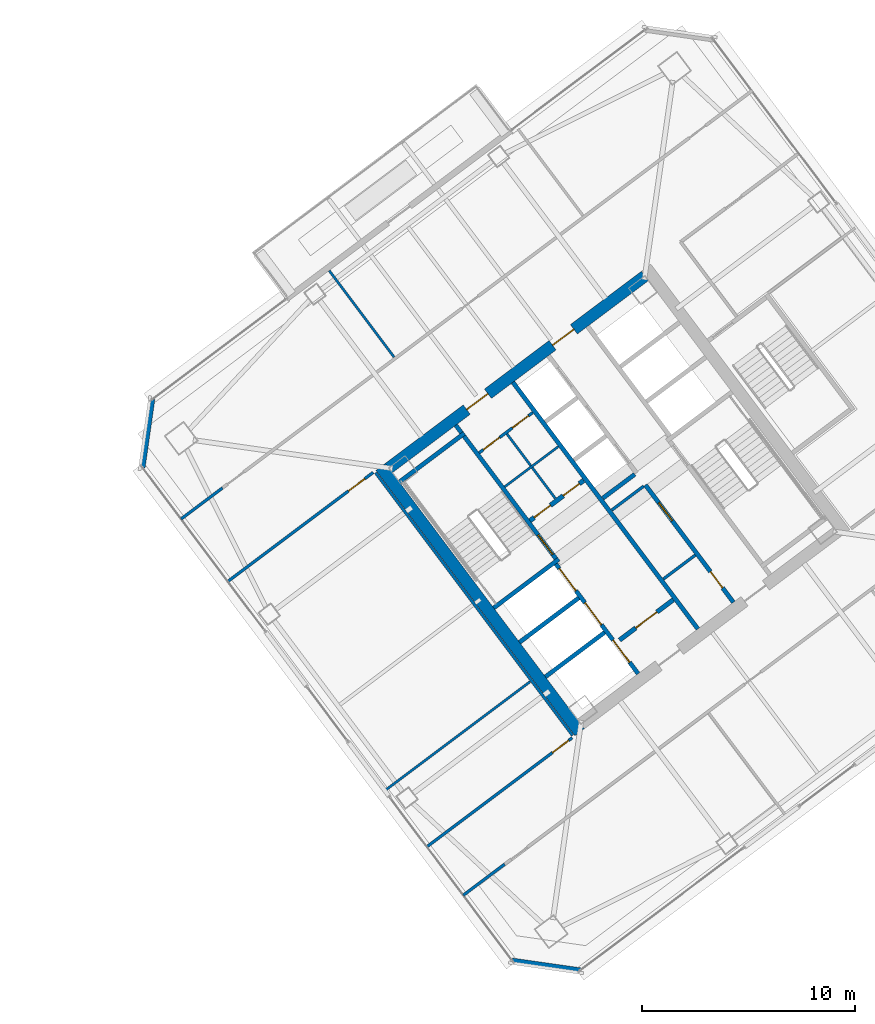
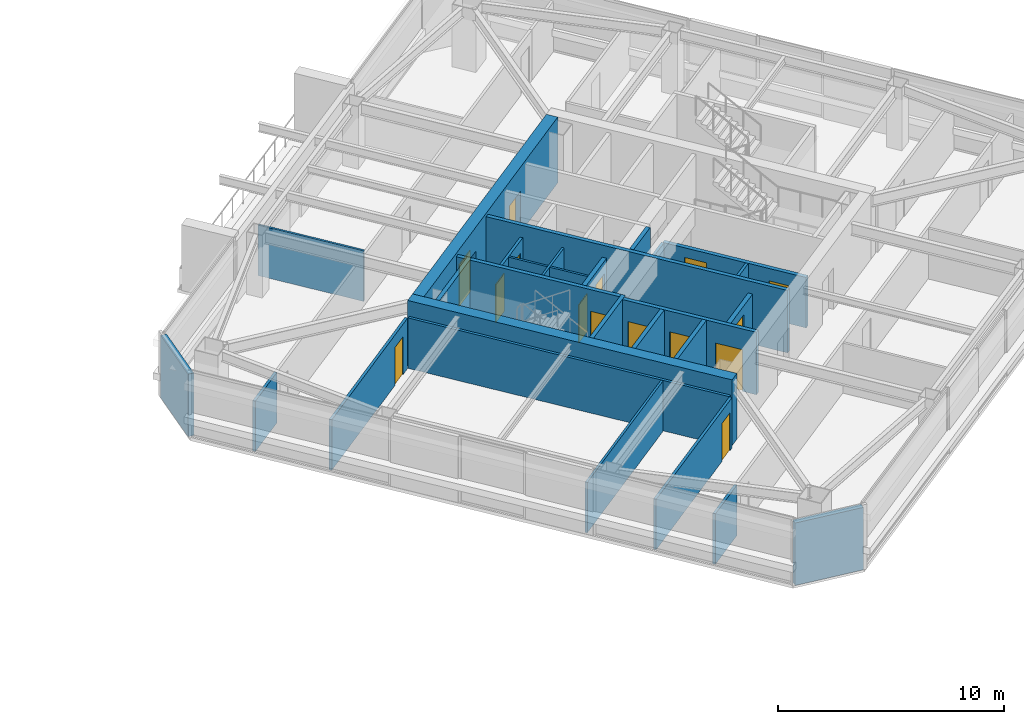
# One storey, part 34 of 43: 27 walls, 15 doors, 15 openings.
"""IFC4 building model written with IfcOpenShell, lengths in metres."""

from ifc_helpers import new_model, si_unit, direction, frame, frame_2d, origin, place, context, subcontext, project, spatial, rectangle, extrude, material, layer, layer_set, type_object, element, fill, save


model = new_model("IFC4")

# Units and contexts
model_context = context("Model", 3, precision=1e-05, world=origin(), true_north=direction((0.0, 1.0)))
body_context = subcontext(model_context, "Body", "Model", "MODEL_VIEW")
ifc_project = project(units=[si_unit("LENGTHUNIT", "METRE"), si_unit("AREAUNIT", "SQUARE_METRE"), si_unit("VOLUMEUNIT", "CUBIC_METRE"), si_unit("PLANEANGLEUNIT", "RADIAN"), si_unit("MASSUNIT", "GRAM", prefix="KILO")], contexts=[model_context])

# Site, building, storey
site_placement = place(None, origin())
site = spatial("IfcSite", under=ifc_project, at=site_placement, CompositionType="ELEMENT")
building_placement = place(site_placement, origin())
building = spatial("IfcBuilding", under=site, at=building_placement, Name="Tashvorn Skyway Center", CompositionType="ELEMENT")
storey_placement = place(building_placement, frame((0.0, 0.0, 188.949951171875)))
storey = spatial("IfcBuildingStorey", under=building, at=storey_placement, Name="L51", CompositionType="ELEMENT", Elevation=188.949951171875)

# Wall
ifc_material_1 = material(Name="Concrete C60/75", Category="concrete")
ifc_layer_1 = layer(ifc_material_1, 0.550048828125)
ifc_layer_set_1 = layer_set([ifc_layer_1], Name="Concrete C60/75")
wall_type_1 = type_object("IfcWallType", Name="WALL-CORE-550", PredefinedType="SHEAR", material=ifc_layer_set_1)
wall_1_placement = place(storey_placement, frame((112.43603515625, 21.076904296875, 0.0), z_axis=(0.0, 0.0, 1.0), x_axis=(-0.600005007985, 0.799996243986, 0.0)))
element("IfcWall", 1, at=wall_1_placement, inside=storey, type_object=wall_type_1, Name="Tower 2 L51 West Core Shear Wall", PredefinedType="SHEAR", context=body_context, shape_type="SweptSolid", body=[
    extrude(rectangle(XDim=15.60009765625, YDim=0.550048828125, at=frame_2d((7.800048828125, 0.0))), origin(), (0.0, 0.0, 1.0), 3.550048828125),
])

# Wall, openings, doors
wall_2_placement = place(storey_placement, frame((103.4609375, 33.501953125, 0.0), z_axis=(0.0, 0.0, 1.0), x_axis=(0.799998054672, 0.600002593761, 0.0)))
wall_2 = element("IfcWall", 2, at=wall_2_placement, inside=storey, type_object=wall_type_1, Name="Tower 2 L51 North Core Shear Wall", PredefinedType="SHEAR", context=body_context, shape_type="SweptSolid", body=[
    extrude(rectangle(XDim=15.06005859375, YDim=0.550048828125, at=frame_2d((7.530029296875, 0.0))), origin(), (0.0, 0.0, 1.0), 3.550048828125),
])
opening_1_placement = place(wall_2_placement, frame((4.580078125, 0.0, 0.0)))
opening_1 = element("IfcOpeningElement", 3, at=opening_1_placement, cuts=wall_2, Name="Opening D-FFL-1250", PredefinedType="OPENING", context=body_context, shape_type="SweptSolid", body=[
    extrude(rectangle(XDim=1.25, YDim=2.25, at=frame_2d((0.625, 1.125))), frame((0.0, 0.284912109375, 0.0), z_axis=(0.0, -1.0, 0.0), x_axis=(1.0, 0.0, 0.0)), (0.0, 0.0, 1.0), 0.570068359375),
])
opening_2_placement = place(wall_2_placement, frame((9.6298828125, 0.0, 0.0)))
opening_2 = element("IfcOpeningElement", 4, at=opening_2_placement, cuts=wall_2, Name="Opening D-FFL-1250", PredefinedType="OPENING", context=body_context, shape_type="SweptSolid", body=[
    extrude(rectangle(XDim=1.25, YDim=2.25, at=frame_2d((0.625, 1.125))), frame((0.0, 0.284912109375, 0.0), z_axis=(0.0, -1.0, 0.0), x_axis=(1.0, 0.0, 0.0)), (0.0, 0.0, 1.0), 0.570068359375),
])
ifc_material_2 = material(Name="Hollow galvanized steel fire door assembly", Category="steel")
door_type_1 = type_object("IfcDoorType", Name="DOOR-FFL-1250", OperationType="NOTDEFINED", PredefinedType="DOOR", material=ifc_material_2)
door_1_placement = place(opening_1_placement, origin())
door_1 = element("IfcDoor", 5, at=door_1_placement, inside=storey, type_object=door_type_1, Name="Tower 2 L51 Core North Service Lobby Door", OperationType="SINGLE_SWING_LEFT", OverallHeight=2.25, OverallWidth=1.25, PredefinedType="DOOR", context=body_context, shape_type="SweptSolid", body=[
    extrude(rectangle(XDim=1.25, YDim=2.25, at=frame_2d((0.625, 1.125))), frame((0.0, 0.02490234375, 0.0), z_axis=(0.0, -1.0, 0.0), x_axis=(1.0, 0.0, 0.0)), (0.0, 0.0, 1.0), 0.050048828125),
])
fill(opening_1, door_1)
door_2_placement = place(opening_2_placement, origin())
door_2 = element("IfcDoor", 6, at=door_2_placement, inside=storey, type_object=door_type_1, Name="Tower 2 L51 Core North Lift Lobby Door", OperationType="SINGLE_SWING_RIGHT", OverallHeight=2.25, OverallWidth=1.25, PredefinedType="DOOR", context=body_context, shape_type="SweptSolid", body=[
    extrude(rectangle(XDim=1.25, YDim=2.25, at=frame_2d((0.625, 1.125))), frame((0.0, 0.02490234375, 0.0), z_axis=(0.0, -1.0, 0.0), x_axis=(1.0, 0.0, 0.0)), (0.0, 0.0, 1.0), 0.050048828125),
])
fill(opening_2, door_2)

# Walls
ifc_material_3 = material(Name="Precast concrete C40/50", Category="concrete")
ifc_layer_2 = layer(ifc_material_3, 0.280029296875)
ifc_layer_set_2 = layer_set([ifc_layer_2], Name="Precast concrete C40/50")
wall_type_2 = type_object("IfcWallType", Name="WALL-EXT-280", PredefinedType="SOLIDWALL", material=ifc_layer_set_2)
for number, where, z_axis, x_axis, name in (
    (7, (112.47998046875, 9.860107421875, 0.0), (0.0, 0.0, 1.0), (-0.989950994782, 0.141410847992, 0.0), "Tower 2 L51 SW Precast Chamfer Wall"),
    (8, (91.860107421875, 33.52001953125, 0.0), (0.0, 0.0, 1.0), (0.141410847992, 0.989950994782, 0.0), "Tower 2 L51 NW Precast Chamfer Wall"),
):
    element("IfcWall", number, at=place(storey_placement, frame(where, z_axis=z_axis, x_axis=x_axis)), inside=storey, type_object=wall_type_2, Name=name, PredefinedType="SOLIDWALL", context=body_context, shape_type="SweptSolid", body=[
        extrude(rectangle(XDim=3.252685546875, YDim=0.280029296875, at=frame_2d((1.62646484375, 0.0))), origin(), (0.0, 0.0, 1.0), 3.3701171875),
    ])

# Wall, openings, doors
ifc_material_4 = material(Name="Concrete C40/50", Category="concrete")
ifc_layer_3 = layer(ifc_material_4, 0.219970703125)
ifc_layer_set_3 = layer_set([ifc_layer_3], Name="Concrete C40/50")
wall_type_3 = type_object("IfcWallType", Name="WALL-FFL-220", PredefinedType="SOLIDWALL", material=ifc_layer_set_3)
wall_3_placement = place(storey_placement, frame((110.10400390625, 31.028076171875, 0.0), z_axis=(0.0, 0.0, 1.0), x_axis=(0.800018601094, 0.59997519774, 0.0)))
wall_3 = element("IfcWall", 9, at=wall_3_placement, inside=storey, type_object=wall_type_3, Name="Tower 2 L51 Firefighting Lobby North Wall", PredefinedType="SOLIDWALL", context=body_context, shape_type="SweptSolid", body=[
    extrude(rectangle(XDim=3.14990234375, YDim=0.219970703125, at=frame_2d((1.574951171875, 0.0))), origin(), (0.0, 0.0, 1.0), 2.72314453125),
])
opening_3_placement = place(wall_3_placement, frame((0.25, 0.0, 0.0)))
opening_3 = element("IfcOpeningElement", 10, at=opening_3_placement, cuts=wall_3, Name="Opening D-RT-950", PredefinedType="OPENING", context=body_context, shape_type="SweptSolid", body=[
    extrude(rectangle(XDim=0.949951171875, YDim=2.050048828125, at=frame_2d((0.47509765625, 1.02490234375))), frame((0.0, 0.119873046875, 0.0), z_axis=(0.0, -1.0, 0.0), x_axis=(1.0, 0.0, 0.0)), (0.0, 0.0, 1.0), 0.239990234375),
])
opening_4_placement = place(wall_3_placement, frame((1.949951171875, 0.0, 0.0)))
opening_4 = element("IfcOpeningElement", 11, at=opening_4_placement, cuts=wall_3, Name="Opening D-RT-950", PredefinedType="OPENING", context=body_context, shape_type="SweptSolid", body=[
    extrude(rectangle(XDim=0.949951171875, YDim=2.050048828125, at=frame_2d((0.47509765625, 1.02490234375))), frame((0.0, 0.119873046875, 0.0), z_axis=(0.0, -1.0, 0.0), x_axis=(1.0, 0.0, 0.0)), (0.0, 0.0, 1.0), 0.239990234375),
])
door_type_2 = type_object("IfcDoorType", Name="DOOR-RATED-950", OperationType="NOTDEFINED", PredefinedType="DOOR", material=ifc_material_2)
door_3_placement = place(opening_3_placement, origin())
door_3 = element("IfcDoor", 12, at=door_3_placement, inside=storey, type_object=door_type_2, Name="Tower 2 L51 Core Mail Room Door", OperationType="SINGLE_SWING_LEFT", OverallHeight=2.050048828125, OverallWidth=0.949951171875, PredefinedType="DOOR", context=body_context, shape_type="SweptSolid", body=[
    extrude(rectangle(XDim=0.949951171875, YDim=2.050048828125, at=frame_2d((0.47509765625, 1.02490234375))), frame((0.0, 0.02490234375, 0.0), z_axis=(0.0, -1.0, 0.0), x_axis=(1.0, 0.0, 0.0)), (0.0, 0.0, 1.0), 0.050048828125),
])
fill(opening_3, door_3)
door_4_placement = place(opening_4_placement, origin())
door_4 = element("IfcDoor", 13, at=door_4_placement, inside=storey, type_object=door_type_2, Name="Tower 2 L51 Core Supply Closet Door", OperationType="SINGLE_SWING_RIGHT", OverallHeight=2.050048828125, OverallWidth=0.949951171875, PredefinedType="DOOR", context=body_context, shape_type="SweptSolid", body=[
    extrude(rectangle(XDim=0.949951171875, YDim=2.050048828125, at=frame_2d((0.47509765625, 1.02490234375))), frame((0.0, 0.02490234375, 0.0), z_axis=(0.0, -1.0, 0.0), x_axis=(1.0, 0.0, 0.0)), (0.0, 0.0, 1.0), 0.050048828125),
])
fill(opening_4, door_4)

# Wall, opening, door
wall_4_placement = place(storey_placement, frame((114.31591796875, 25.412109375, 0.0), z_axis=(0.0, 0.0, 1.0), x_axis=(0.800018601094, 0.59997519774, 0.0)))
wall_4 = element("IfcWall", 14, at=wall_4_placement, inside=storey, type_object=wall_type_3, Name="Tower 2 L51 Firefighting Lobby South Wall", PredefinedType="SOLIDWALL", context=body_context, shape_type="SweptSolid", body=[
    extrude(rectangle(XDim=3.14990234375, YDim=0.219970703125, at=frame_2d((1.574951171875, 0.0))), origin(), (0.0, 0.0, 1.0), 2.72314453125),
])
opening_5_placement = place(wall_4_placement, frame((0.949951171875, 0.0, 0.0)))
opening_5 = element("IfcOpeningElement", 15, at=opening_5_placement, cuts=wall_4, Name="Opening D-FFL-1250", PredefinedType="OPENING", context=body_context, shape_type="SweptSolid", body=[
    extrude(rectangle(XDim=1.25, YDim=2.25, at=frame_2d((0.625, 1.125))), frame((0.0, 0.119873046875, 0.0), z_axis=(0.0, -1.0, 0.0), x_axis=(1.0, 0.0, 0.0)), (0.0, 0.0, 1.0), 0.239990234375),
])
door_5_placement = place(opening_5_placement, origin())
door_5 = element("IfcDoor", 16, at=door_5_placement, inside=storey, type_object=door_type_1, Name="Tower 2 L51 Firefighting Lobby Egress Door", OperationType="SINGLE_SWING_LEFT", OverallHeight=2.25, OverallWidth=1.25, PredefinedType="DOOR", context=body_context, shape_type="SweptSolid", body=[
    extrude(rectangle(XDim=1.25, YDim=2.25, at=frame_2d((0.625, 1.125))), frame((0.0, 0.02490234375, 0.0), z_axis=(0.0, -1.0, 0.0), x_axis=(1.0, 0.0, 0.0)), (0.0, 0.0, 1.0), 0.050048828125),
])
fill(opening_5, door_5)

# Walls
ifc_material_5 = material(Name="Gypsum board on cold-formed steel stud framing", Category="steel")
ifc_layer_4 = layer(ifc_material_5, 0.110107421875)
ifc_layer_set_4 = layer_set([ifc_layer_4], Name="Gypsum board on cold-formed steel stud framing")
wall_type_4 = type_object("IfcWallType", Name="WALL-PART-110", PredefinedType="PARTITIONING", material=ifc_layer_set_4)
wall_5_placement = place(storey_placement, frame((103.7099609375, 38.719970703125, 0.0), z_axis=(0.0, 0.0, 1.0), x_axis=(-0.599984620597, 0.800011534321, 0.0)))
element("IfcWall", 17, at=wall_5_placement, inside=storey, type_object=wall_type_4, Name="Tower 2 L51 North Suite Partition 1", PredefinedType="PARTITIONING", context=body_context, shape_type="SweptSolid", body=[
    extrude(rectangle(XDim=5.079833984375, YDim=0.110107421875, at=frame_2d((2.5400390625, 0.0))), origin(), (0.0, 0.0, 1.0), 2.72314453125),
])
wall_6_placement = place(storey_placement, frame((103.27587890625, 18.33203125, 0.0), z_axis=(0.0, 0.0, 1.0), x_axis=(0.8, 0.6, 0.0)))
element("IfcWall", 18, at=wall_6_placement, inside=storey, type_object=wall_type_4, Name="Tower 2 L51 West Mid Partition", PredefinedType="PARTITIONING", context=body_context, shape_type="SweptSolid", body=[
    extrude(rectangle(XDim=8.5400390625, YDim=0.110107421875, at=frame_2d((4.27001953125, 0.0))), origin(), (0.0, 0.0, 1.0), 2.72314453125),
])
ifc_layer_5 = layer(ifc_material_5, 0.135009765625)
ifc_layer_set_5 = layer_set([ifc_layer_5], Name="Gypsum board on cold-formed steel stud framing")
wall_type_5 = type_object("IfcWallType", Name="WALL-PART-135", PredefinedType="PARTITIONING", material=ifc_layer_set_5)
for number, where, z_axis, x_axis, name in (
    (19, (93.694091796875, 31.10791015625, 0.0), (0.0, 0.0, 1.0), (0.799975885537, 0.600032151272, 0.0), "Tower 2 L51 North-West Suite South Wall"),
    (20, (106.966064453125, 13.412109375, 0.0), (0.0, 0.0, 1.0), (0.799975885537, 0.600032151272, 0.0), "Tower 2 L51 South-West Suite North Wall"),
):
    element("IfcWall", number, at=place(storey_placement, frame(where, z_axis=z_axis, x_axis=x_axis)), inside=storey, type_object=wall_type_5, Name=name, PredefinedType="PARTITIONING", context=body_context, shape_type="SweptSolid", body=[
        extrude(rectangle(XDim=2.429931640625, YDim=0.135009765625, at=frame_2d((1.21484375, 0.0))), origin(), (0.0, 0.0, 1.0), 2.72314453125),
    ])
wall_7_placement = place(storey_placement, frame((112.10400390625, 20.927978515625, 0.0), z_axis=(0.0, 0.0, 1.0), x_axis=(-0.599994940075, 0.800003794918, 0.0)))
element("IfcWall", 21, at=wall_7_placement, inside=storey, type_object=wall_type_5, Name="Tower 2 L51 West Inner Suite Wall", PredefinedType="PARTITIONING", context=body_context, shape_type="SweptSolid", body=[
    extrude(rectangle(XDim=15.43994140625, YDim=0.135009765625, at=frame_2d((7.719970703125, 0.0))), origin(), (0.0, 0.0, 1.0), 2.72314453125),
])

# Wall, opening, door
wall_8_placement = place(storey_placement, frame((102.72802734375, 33.2958984375, 0.0), z_axis=(0.0, 0.0, 1.0), x_axis=(-0.800013722153, -0.59998170336, 0.0)))
wall_8 = element("IfcWall", 22, at=wall_8_placement, inside=storey, type_object=wall_type_5, Name="Tower 2 L51 West Suite North Wall", PredefinedType="PARTITIONING", context=body_context, shape_type="SweptSolid", body=[
    extrude(rectangle(XDim=8.539794921875, YDim=0.135009765625, at=frame_2d((4.27001953125, 0.0))), origin(), (0.0, 0.0, 1.0), 2.72314453125),
])
opening_6_placement = place(wall_8_placement, frame((0.5, 0.0, 0.0)))
opening_6 = element("IfcOpeningElement", 23, at=opening_6_placement, cuts=wall_8, Name="Opening D-INT-950", PredefinedType="OPENING", context=body_context, shape_type="SweptSolid", body=[
    extrude(rectangle(XDim=0.949951171875, YDim=2.050048828125, at=frame_2d((0.47509765625, 1.02490234375))), frame((0.0, 0.077392578125, 0.0), z_axis=(0.0, -1.0, 0.0), x_axis=(1.0, 0.0, 0.0)), (0.0, 0.0, 1.0), 0.155029296875),
])
ifc_material_6 = material(Name="Solid-core architectural oak veneer door")
door_type_3 = type_object("IfcDoorType", Name="DOOR-INT-950", OperationType="NOTDEFINED", PredefinedType="DOOR", material=ifc_material_6)
door_6_placement = place(opening_6_placement, origin())
door_6 = element("IfcDoor", 24, at=door_6_placement, inside=storey, type_object=door_type_3, Name="Tower 2 L51 Boardroom Door", OperationType="SINGLE_SWING_LEFT", OverallHeight=2.050048828125, OverallWidth=0.949951171875, PredefinedType="DOOR", context=body_context, shape_type="SweptSolid", body=[
    extrude(rectangle(XDim=0.949951171875, YDim=2.050048828125, at=frame_2d((0.47509765625, 1.02490234375))), frame((0.0, 0.02490234375, 0.0), z_axis=(0.0, -1.0, 0.0), x_axis=(1.0, 0.0, 0.0)), (0.0, 0.0, 1.0), 0.050048828125),
])
fill(opening_6, door_6)

wall_9_placement = place(storey_placement, frame((105.256103515625, 15.69189453125, 0.0), z_axis=(0.0, 0.0, 1.0), x_axis=(0.799989708052, 0.600013722352, 0.0)))
wall_9 = element("IfcWall", 25, at=wall_9_placement, inside=storey, type_object=wall_type_5, Name="Tower 2 L51 West Suite South Wall", PredefinedType="PARTITIONING", context=body_context, shape_type="SweptSolid", body=[
    extrude(rectangle(XDim=8.539794921875, YDim=0.135009765625, at=frame_2d((4.27001953125, 0.0))), origin(), (0.0, 0.0, 1.0), 2.72314453125),
])
opening_7_placement = place(wall_9_placement, frame((7.3798828125, 0.0, 0.0)))
opening_7 = element("IfcOpeningElement", 26, at=opening_7_placement, cuts=wall_9, Name="Opening D-INT-950", PredefinedType="OPENING", context=body_context, shape_type="SweptSolid", body=[
    extrude(rectangle(XDim=0.949951171875, YDim=2.050048828125, at=frame_2d((0.47509765625, 1.02490234375))), frame((0.0, 0.077392578125, 0.0), z_axis=(0.0, -1.0, 0.0), x_axis=(1.0, 0.0, 0.0)), (0.0, 0.0, 1.0), 0.155029296875),
])
door_7_placement = place(opening_7_placement, origin())
door_7 = element("IfcDoor", 27, at=door_7_placement, inside=storey, type_object=door_type_3, Name="Tower 2 L51 Public Restroom Door", OperationType="SINGLE_SWING_RIGHT", OverallHeight=2.050048828125, OverallWidth=0.949951171875, PredefinedType="DOOR", context=body_context, shape_type="SweptSolid", body=[
    extrude(rectangle(XDim=0.949951171875, YDim=2.050048828125, at=frame_2d((0.47509765625, 1.02490234375))), frame((0.0, 0.02490234375, 0.0), z_axis=(0.0, -1.0, 0.0), x_axis=(1.0, 0.0, 0.0)), (0.0, 0.0, 1.0), 0.050048828125),
])
fill(opening_7, door_7)

# Walls
ifc_layer_6 = layer(ifc_material_5, 0.110107421875)
ifc_layer_set_6 = layer_set([ifc_layer_6], Name="Gypsum board on cold-formed steel stud framing")
wall_type_6 = type_object("IfcWallType", Name="WALL-RATED-110", PredefinedType="PARTITIONING", material=ifc_layer_set_6)
wall_10_placement = place(storey_placement, frame((111.2958984375, 32.072021484375, 0.0), z_axis=(0.0, 0.0, 1.0), x_axis=(-0.59995887973, 0.800030838552, 0.0)))
element("IfcWall", 28, at=wall_10_placement, inside=storey, type_object=wall_type_6, Name="Tower 2 L51 Core Cross Vertical", PredefinedType="PARTITIONING", context=body_context, shape_type="SweptSolid", body=[
    extrude(rectangle(XDim=3.7998046875, YDim=0.110107421875, at=frame_2d((1.89990234375, 0.0))), origin(), (0.0, 0.0, 1.0), 2.72314453125),
])
wall_11_placement = place(storey_placement, frame((108.909912109375, 32.6201171875, 0.0), z_axis=(0.0, 0.0, 1.0), x_axis=(0.800018601094, 0.59997519774, 0.0)))
element("IfcWall", 29, at=wall_11_placement, inside=storey, type_object=wall_type_6, Name="Tower 2 L51 Core Cross Horizontal", PredefinedType="PARTITIONING", context=body_context, shape_type="SweptSolid", body=[
    extrude(rectangle(XDim=3.14990234375, YDim=0.110107421875, at=frame_2d((1.574951171875, 0.0))), origin(), (0.0, 0.0, 1.0), 2.72314453125),
])

# Wall, openings, doors
ifc_layer_7 = layer(ifc_material_5, 0.135009765625)
ifc_layer_set_7 = layer_set([ifc_layer_7], Name="Gypsum board on cold-formed steel stud framing")
wall_type_7 = type_object("IfcWallType", Name="WALL-RATED-135", PredefinedType="PARTITIONING", material=ifc_layer_set_7)
wall_12_placement = place(storey_placement, frame((107.7099609375, 34.219970703125, 0.0), z_axis=(0.0, 0.0, 1.0), x_axis=(0.799981399002, 0.60002480053, 0.0)))
wall_12 = element("IfcWall", 30, at=wall_12_placement, inside=storey, type_object=wall_type_7, Name="Tower 2 L51 Core Service Lobby Wall", PredefinedType="PARTITIONING", context=body_context, shape_type="SweptSolid", body=[
    extrude(rectangle(XDim=3.150146484375, YDim=0.135009765625, at=frame_2d((1.5751953125, 0.0))), origin(), (0.0, 0.0, 1.0), 2.72314453125),
])
opening_8_placement = place(wall_12_placement, frame((0.25, 0.0, 0.0)))
opening_8 = element("IfcOpeningElement", 31, at=opening_8_placement, cuts=wall_12, Name="Opening D-RT-950", PredefinedType="OPENING", context=body_context, shape_type="SweptSolid", body=[
    extrude(rectangle(XDim=0.949951171875, YDim=2.050048828125, at=frame_2d((0.47509765625, 1.02490234375))), frame((0.0, 0.077392578125, 0.0), z_axis=(0.0, -1.0, 0.0), x_axis=(1.0, 0.0, 0.0)), (0.0, 0.0, 1.0), 0.155029296875),
])
opening_9_placement = place(wall_12_placement, frame((1.949951171875, 0.0, 0.0)))
opening_9 = element("IfcOpeningElement", 32, at=opening_9_placement, cuts=wall_12, Name="Opening D-RT-950", PredefinedType="OPENING", context=body_context, shape_type="SweptSolid", body=[
    extrude(rectangle(XDim=0.949951171875, YDim=2.050048828125, at=frame_2d((0.47509765625, 1.02490234375))), frame((0.0, 0.077392578125, 0.0), z_axis=(0.0, -1.0, 0.0), x_axis=(1.0, 0.0, 0.0)), (0.0, 0.0, 1.0), 0.155029296875),
])
door_8_placement = place(opening_8_placement, origin())
door_8 = element("IfcDoor", 33, at=door_8_placement, inside=storey, type_object=door_type_2, Name="Tower 2 L51 Core Cleaner Store Door", OperationType="SINGLE_SWING_LEFT", OverallHeight=2.050048828125, OverallWidth=0.949951171875, PredefinedType="DOOR", context=body_context, shape_type="SweptSolid", body=[
    extrude(rectangle(XDim=0.949951171875, YDim=2.050048828125, at=frame_2d((0.47509765625, 1.02490234375))), frame((0.0, 0.02490234375, 0.0), z_axis=(0.0, -1.0, 0.0), x_axis=(1.0, 0.0, 0.0)), (0.0, 0.0, 1.0), 0.050048828125),
])
fill(opening_8, door_8)
door_9_placement = place(opening_9_placement, origin())
door_9 = element("IfcDoor", 34, at=door_9_placement, inside=storey, type_object=door_type_2, Name="Tower 2 L51 Core Accessible WC Door", OperationType="SINGLE_SWING_RIGHT", OverallHeight=2.050048828125, OverallWidth=0.949951171875, PredefinedType="DOOR", context=body_context, shape_type="SweptSolid", body=[
    extrude(rectangle(XDim=0.949951171875, YDim=2.050048828125, at=frame_2d((0.47509765625, 1.02490234375))), frame((0.0, 0.02490234375, 0.0), z_axis=(0.0, -1.0, 0.0), x_axis=(1.0, 0.0, 0.0)), (0.0, 0.0, 1.0), 0.050048828125),
])
fill(opening_9, door_9)

# Walls
for number, where, z_axis, x_axis, name in (
    (35, (113.946044921875, 31.52197265625, 0.0), (0.0, 0.0, 1.0), (0.8, 0.6, 0.0), "Tower 2 L51 Core Room Partition"),
    (36, (116.3759765625, 28.281982421875, 0.0), (0.0, 0.0, 1.0), (0.8, 0.6, 0.0), "Tower 2 L51 Freed Core Partition"),
):
    element("IfcWall", number, at=place(storey_placement, frame(where, z_axis=z_axis, x_axis=x_axis)), inside=storey, type_object=wall_type_7, Name=name, PredefinedType="PARTITIONING", context=body_context, shape_type="SweptSolid", body=[
        extrude(rectangle(XDim=1.8798828125, YDim=0.135009765625, at=frame_2d((0.93994140625, 0.0))), origin(), (0.0, 0.0, 1.0), 2.72314453125),
    ])
ifc_layer_8 = layer(ifc_material_4, 0.199951171875)
ifc_layer_set_8 = layer_set([ifc_layer_8], Name="Concrete C40/50")
wall_type_8 = type_object("IfcWallType", Name="WALL-SHAFT-200", PredefinedType="SOLIDWALL", material=ifc_layer_set_8)
for number, where, z_axis, x_axis, name in (
    (37, (110.825927734375, 23.681884765625, 0.0), (0.0, 0.0, 1.0), (0.8, 0.6, 0.0), "Tower 2 L51 FSAE Shaft Divider"),
    (38, (109.60791015625, 25.305908203125, 0.0), (0.0, 0.0, 1.0), (0.8, 0.6, 0.0), "Tower 2 L51 FSAE Shaft Divider"),
):
    element("IfcWall", number, at=place(storey_placement, frame(where, z_axis=z_axis, x_axis=x_axis)), inside=storey, type_object=wall_type_8, Name=name, PredefinedType="SOLIDWALL", context=body_context, shape_type="SweptSolid", body=[
        extrude(rectangle(XDim=3.480224609375, YDim=0.199951171875, at=frame_2d((1.740234375, 0.0))), origin(), (0.0, 0.0, 1.0), 3.3701171875),
    ])

# Wall, openings, doors
wall_13_placement = place(storey_placement, frame((119.669921875, 27.18994140625, 0.0), z_axis=(0.0, 0.0, 1.0), x_axis=(-0.599988677396, 0.800008491828, 0.0)))
wall_13 = element("IfcWall", 39, at=wall_13_placement, inside=storey, type_object=wall_type_8, Name="Tower 2 L51 Low-Rise Core Wall", PredefinedType="SOLIDWALL", context=body_context, shape_type="SweptSolid", body=[
    extrude(rectangle(XDim=6.89990234375, YDim=0.199951171875, at=frame_2d((3.449951171875, 0.0))), origin(), (0.0, 0.0, 1.0), 2.72314453125),
])
opening_10_placement = place(wall_13_placement, frame((0.85009765625, 0.0, 0.0)))
opening_10 = element("IfcOpeningElement", 40, at=opening_10_placement, cuts=wall_13, Name="Opening D-RT-950", PredefinedType="OPENING", context=body_context, shape_type="SweptSolid", body=[
    extrude(rectangle(XDim=0.949951171875, YDim=2.050048828125, at=frame_2d((0.47509765625, 1.02490234375))), frame((0.0, 0.10986328125, 0.0), z_axis=(0.0, -1.0, 0.0), x_axis=(1.0, 0.0, 0.0)), (0.0, 0.0, 1.0), 0.219970703125),
])
opening_11_placement = place(wall_13_placement, frame((4.800048828125, 0.0, 0.0)))
opening_11 = element("IfcOpeningElement", 41, at=opening_11_placement, cuts=wall_13, Name="Opening D-RT-1050", PredefinedType="OPENING", context=body_context, shape_type="SweptSolid", body=[
    extrude(rectangle(XDim=1.050048828125, YDim=2.199951171875, at=frame_2d((0.52490234375, 1.10009765625))), frame((0.0, 0.10986328125, 0.0), z_axis=(0.0, -1.0, 0.0), x_axis=(1.0, 0.0, 0.0)), (0.0, 0.0, 1.0), 0.219970703125),
])
door_type_4 = type_object("IfcDoorType", Name="DOOR-RATED-1050", OperationType="NOTDEFINED", PredefinedType="DOOR", material=ifc_material_2)
door_10_placement = place(opening_11_placement, origin())
door_10 = element("IfcDoor", 42, at=door_10_placement, inside=storey, type_object=door_type_4, Name="Tower 2 L51 Freed Core Room Door", OperationType="SINGLE_SWING_RIGHT", OverallHeight=2.199951171875, OverallWidth=1.050048828125, PredefinedType="DOOR", context=body_context, shape_type="SweptSolid", body=[
    extrude(rectangle(XDim=1.050048828125, YDim=2.199951171875, at=frame_2d((0.52490234375, 1.10009765625))), frame((0.0, 0.02490234375, 0.0), z_axis=(0.0, -1.0, 0.0), x_axis=(1.0, 0.0, 0.0)), (0.0, 0.0, 1.0), 0.050048828125),
])
fill(opening_11, door_10)
door_11_placement = place(opening_10_placement, origin())
door_11 = element("IfcDoor", 43, at=door_11_placement, inside=storey, type_object=door_type_2, Name="Tower 2 L51 Core Print Room Door", OperationType="SINGLE_SWING_LEFT", OverallHeight=2.050048828125, OverallWidth=0.949951171875, PredefinedType="DOOR", context=body_context, shape_type="SweptSolid", body=[
    extrude(rectangle(XDim=0.949951171875, YDim=2.050048828125, at=frame_2d((0.47509765625, 1.02490234375))), frame((0.0, 0.02490234375, 0.0), z_axis=(0.0, -1.0, 0.0), x_axis=(1.0, 0.0, 0.0)), (0.0, 0.0, 1.0), 0.050048828125),
])
fill(opening_10, door_11)

# Wall
wall_14_placement = place(storey_placement, frame((113.52587890625, 32.08203125, 0.0), z_axis=(0.0, 0.0, 1.0), x_axis=(0.800046745961, 0.599937666993, 0.0)))
element("IfcWall", 44, at=wall_14_placement, inside=storey, type_object=wall_type_8, Name="Tower 2 L51 Mid-Rise Shaft Divider", PredefinedType="SOLIDWALL", context=body_context, shape_type="SweptSolid", body=[
    extrude(rectangle(XDim=1.880126953125, YDim=0.199951171875, at=frame_2d((0.93994140625, 0.0))), origin(), (0.0, 0.0, 1.0), 3.3701171875),
])

# Wall, opening, door
ifc_layer_9 = layer(ifc_material_4, 0.199951171875)
ifc_layer_set_9 = layer_set([ifc_layer_9], Name="Concrete C40/50")
wall_type_9 = type_object("IfcWallType", Name="WALL-STSHF-200", PredefinedType="SHEAR", material=ifc_layer_set_9)
wall_15_placement = place(storey_placement, frame((111.43994140625, 29.080078125, 0.0), z_axis=(0.0, 0.0, 1.0), x_axis=(-0.59999029481, 0.8000072788, 0.0)))
wall_15 = element("IfcWall", 45, at=wall_15_placement, inside=storey, type_object=wall_type_9, Name="Tower 2 L51 Stair 1 Enclosure Wall", PredefinedType="SHEAR", context=body_context, shape_type="SweptSolid", body=[
    extrude(rectangle(XDim=8.0498046875, YDim=0.199951171875, at=frame_2d((4.02490234375, 0.0))), origin(), (0.0, 0.0, 1.0), 3.3701171875),
])
opening_12_placement = place(wall_15_placement, frame((0.449951171875, 0.0, 0.0)))
opening_12 = element("IfcOpeningElement", 46, at=opening_12_placement, cuts=wall_15, Name="Opening D-ST-1150", PredefinedType="OPENING", context=body_context, shape_type="SweptSolid", body=[
    extrude(rectangle(XDim=1.14990234375, YDim=2.199951171875, at=frame_2d((0.574951171875, 1.10009765625))), frame((0.0, 0.10986328125, 0.0), z_axis=(0.0, -1.0, 0.0), x_axis=(1.0, 0.0, 0.0)), (0.0, 0.0, 1.0), 0.219970703125),
])
door_type_5 = type_object("IfcDoorType", Name="DOOR-STAIR-1150", OperationType="NOTDEFINED", PredefinedType="DOOR", material=ifc_material_2)
door_12_placement = place(opening_12_placement, origin())
door_12 = element("IfcDoor", 47, at=door_12_placement, inside=storey, type_object=door_type_5, Name="Tower 2 L51 Exit Stair 1 Door", OperationType="SINGLE_SWING_RIGHT", OverallHeight=2.199951171875, OverallWidth=1.14990234375, PredefinedType="DOOR", context=body_context, shape_type="SweptSolid", body=[
    extrude(rectangle(XDim=1.14990234375, YDim=2.199951171875, at=frame_2d((0.574951171875, 1.10009765625))), frame((0.0, 0.02490234375, 0.0), z_axis=(0.0, -1.0, 0.0), x_axis=(1.0, 0.0, 0.0)), (0.0, 0.0, 1.0), 0.050048828125),
])
fill(opening_12, door_12)

# Walls
for number, where, z_axis, x_axis, name in (
    (48, (108.39599609375, 26.922119140625, 0.0), (0.0, 0.0, 1.0), (0.800015298837, 0.599979601008, 0.0), "Tower 2 L51 Stair 1 South Wall"),
    (49, (103.9560546875, 32.842041015625, 0.0), (0.0, 0.0, 1.0), (0.800015298837, 0.599979601008, 0.0), "Tower 2 L51 Stair 1 North Wall"),
):
    element("IfcWall", number, at=place(storey_placement, frame(where, z_axis=z_axis, x_axis=x_axis)), inside=storey, type_object=wall_type_9, Name=name, PredefinedType="SHEAR", context=body_context, shape_type="SweptSolid", body=[
        extrude(rectangle(XDim=3.829833984375, YDim=0.199951171875, at=frame_2d((1.9150390625, 0.0))), origin(), (0.0, 0.0, 1.0), 3.3701171875),
    ])
wall_16_placement = place(storey_placement, frame((117.998046875, 25.93603515625, 0.0), z_axis=(0.0, 0.0, 1.0), x_axis=(-0.600002693989, 0.799997979501, 0.0)))
element("IfcWall", 50, at=wall_16_placement, inside=storey, type_object=wall_type_9, Name="Tower 2 L51 Firefighting Lobby East Smoke Barrier", PredefinedType="SHEAR", context=body_context, shape_type="SweptSolid", body=[
    extrude(rectangle(XDim=14.499755859375, YDim=0.199951171875, at=frame_2d((7.25, 0.0))), origin(), (0.0, 0.0, 1.0), 3.3701171875),
])

# Wall, openings, doors
wall_17_placement = place(storey_placement, frame((115.18994140625, 23.830078125, 0.0), z_axis=(0.0, 0.0, 1.0), x_axis=(-0.599993943644, 0.800004542231, 0.0)))
wall_17 = element("IfcWall", 51, at=wall_17_placement, inside=storey, type_object=wall_type_9, Name="Tower 2 L51 FSAE and Goods Shaft Front Wall", PredefinedType="SHEAR", context=body_context, shape_type="SweptSolid", body=[
    extrude(rectangle(XDim=6.449951171875, YDim=0.199951171875, at=frame_2d((3.22509765625, 0.0))), origin(), (0.0, 0.0, 1.0), 3.3701171875),
])
opening_13_placement = place(wall_17_placement, frame((4.875, 0.0, 0.0)))
opening_13 = element("IfcOpeningElement", 52, at=opening_13_placement, cuts=wall_17, Name="Opening LD-FF-T2-1-L51", PredefinedType="OPENING", context=body_context, shape_type="SweptSolid", body=[
    extrude(rectangle(XDim=1.300048828125, YDim=2.25, at=frame_2d((0.64990234375, 1.125))), frame((0.0, 0.10986328125, 0.0), z_axis=(0.0, -1.0, 0.0), x_axis=(1.0, 0.0, 0.0)), (0.0, 0.0, 1.0), 0.219970703125),
])
opening_14_placement = place(wall_17_placement, frame((2.875, 0.0, 0.0)))
opening_14 = element("IfcOpeningElement", 53, at=opening_14_placement, cuts=wall_17, Name="Opening LD-FF-T2-2-L51", PredefinedType="OPENING", context=body_context, shape_type="SweptSolid", body=[
    extrude(rectangle(XDim=1.300048828125, YDim=2.25, at=frame_2d((0.64990234375, 1.125))), frame((0.0, 0.10986328125, 0.0), z_axis=(0.0, -1.0, 0.0), x_axis=(1.0, 0.0, 0.0)), (0.0, 0.0, 1.0), 0.219970703125),
])
opening_15_placement = place(wall_17_placement, frame((0.675048828125, 0.0, 0.0)))
opening_15 = element("IfcOpeningElement", 54, at=opening_15_placement, cuts=wall_17, Name="Opening LD-GD-T2-1-L51", PredefinedType="OPENING", context=body_context, shape_type="SweptSolid", body=[
    extrude(rectangle(XDim=1.300048828125, YDim=2.25, at=frame_2d((0.64990234375, 1.125))), frame((0.0, 0.10986328125, 0.0), z_axis=(0.0, -1.0, 0.0), x_axis=(1.0, 0.0, 0.0)), (0.0, 0.0, 1.0), 0.219970703125),
])
ifc_material_7 = material(Name="Stainless steel heavy-duty landing door", Category="steel")
door_type_6 = type_object("IfcDoorType", Name="DOOR-LIFT-1300", OperationType="SLIDING_TO_LEFT", PredefinedType="DOOR", material=ifc_material_7)
door_13_placement = place(opening_13_placement, origin())
door_13 = element("IfcDoor", 55, at=door_13_placement, inside=storey, type_object=door_type_6, Name="Lift FF-T2-1 L51 Landing Door", OperationType="SLIDING_TO_LEFT", OverallHeight=2.25, OverallWidth=1.300048828125, PredefinedType="DOOR", context=body_context, shape_type="SweptSolid", body=[
    extrude(rectangle(XDim=1.300048828125, YDim=2.25, at=frame_2d((0.64990234375, 1.125))), frame((0.0, 0.02490234375, 0.0), z_axis=(0.0, -1.0, 0.0), x_axis=(1.0, 0.0, 0.0)), (0.0, 0.0, 1.0), 0.050048828125),
])
fill(opening_13, door_13)
door_14_placement = place(opening_14_placement, origin())
door_14 = element("IfcDoor", 56, at=door_14_placement, inside=storey, type_object=door_type_6, Name="Lift FF-T2-2 L51 Landing Door", OperationType="SLIDING_TO_LEFT", OverallHeight=2.25, OverallWidth=1.300048828125, PredefinedType="DOOR", context=body_context, shape_type="SweptSolid", body=[
    extrude(rectangle(XDim=1.300048828125, YDim=2.25, at=frame_2d((0.64990234375, 1.125))), frame((0.0, 0.02490234375, 0.0), z_axis=(0.0, -1.0, 0.0), x_axis=(1.0, 0.0, 0.0)), (0.0, 0.0, 1.0), 0.050048828125),
])
fill(opening_14, door_14)
door_15_placement = place(opening_15_placement, origin())
door_15 = element("IfcDoor", 57, at=door_15_placement, inside=storey, type_object=door_type_6, Name="Lift GD-T2-1 L51 Landing Door", OperationType="SLIDING_TO_LEFT", OverallHeight=2.25, OverallWidth=1.300048828125, PredefinedType="DOOR", context=body_context, shape_type="SweptSolid", body=[
    extrude(rectangle(XDim=1.300048828125, YDim=2.25, at=frame_2d((0.64990234375, 1.125))), frame((0.0, 0.02490234375, 0.0), z_axis=(0.0, -1.0, 0.0), x_axis=(1.0, 0.0, 0.0)), (0.0, 0.0, 1.0), 0.050048828125),
])
fill(opening_15, door_15)

save(model, "model.ifc")
